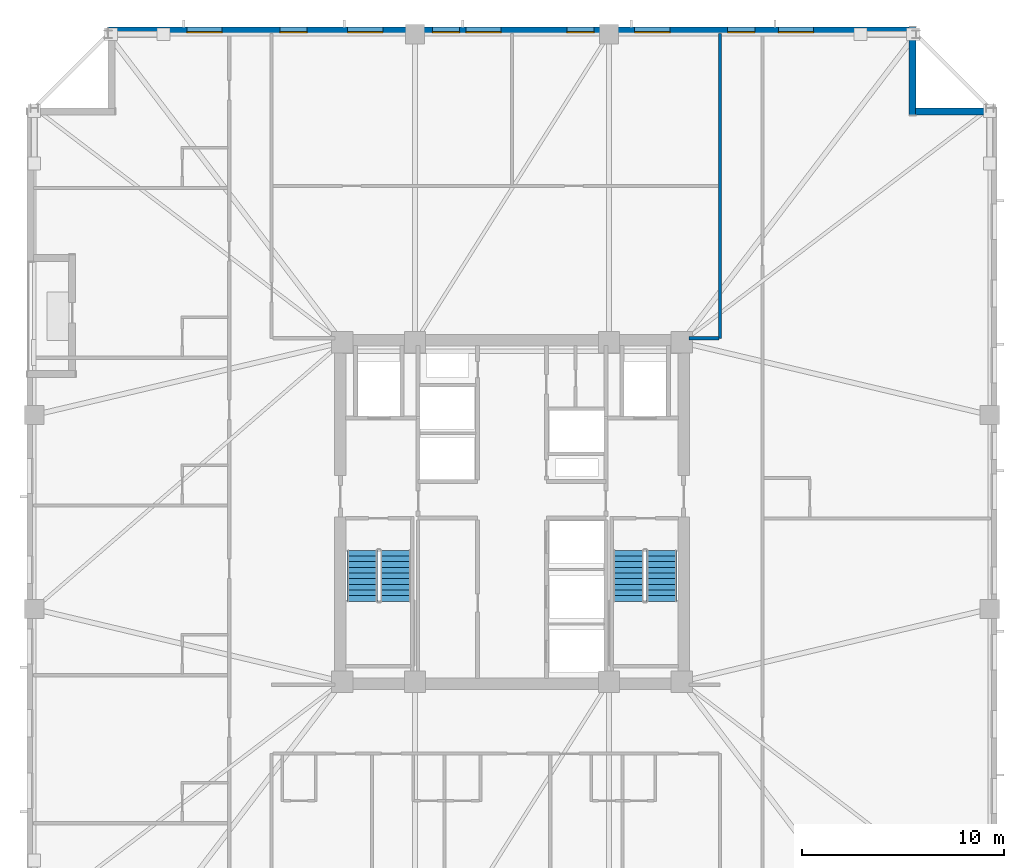
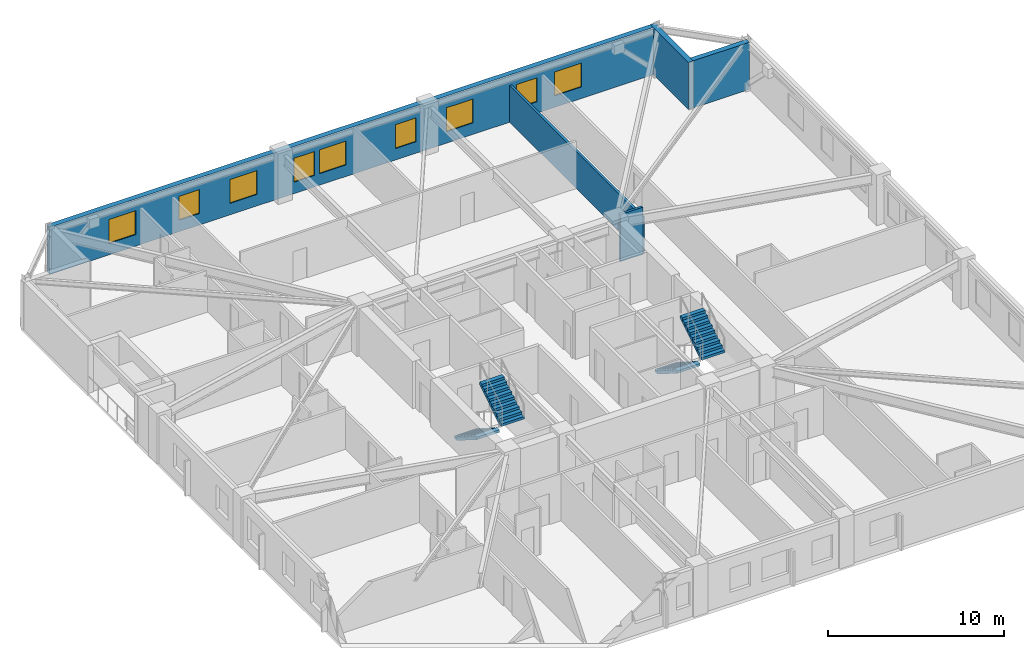
# One storey, part 6 of 11: 9 windows, 5 walls, 4 stair flights, 9 openings, 2 elements without a shape of their own.
"""IFC4 building model written with IfcOpenShell, lengths in metres."""

from ifc_helpers import new_model, si_unit, direction, frame, frame_2d, origin, place, context, subcontext, project, spatial, polyline, rectangle, outline, extrude, material, layer, layer_set, type_object, element, fill, aggregate, save


model = new_model("IFC4")

# Units and contexts
model_context = context("Model", 3, precision=1e-05, world=origin(), true_north=direction((0.0, 1.0)))
body_context = subcontext(model_context, "Body", "Model", "MODEL_VIEW")
ifc_project = project(units=[si_unit("LENGTHUNIT", "METRE"), si_unit("AREAUNIT", "SQUARE_METRE"), si_unit("VOLUMEUNIT", "CUBIC_METRE"), si_unit("PLANEANGLEUNIT", "RADIAN"), si_unit("MASSUNIT", "GRAM", prefix="KILO")], contexts=[model_context])

# Site, building, storey
site_placement = place(None, origin())
site = spatial("IfcSite", under=ifc_project, at=site_placement, CompositionType="ELEMENT")
building_placement = place(site_placement, origin())
building = spatial("IfcBuilding", under=site, at=building_placement, Name="Cairnveth Concourse Tower", CompositionType="ELEMENT")
storey_placement = place(building_placement, frame((0.0, 0.0, 116.5)))
storey = spatial("IfcBuildingStorey", under=building, at=storey_placement, Name="L31", CompositionType="ELEMENT", Elevation=116.5)

# Walls
ifc_material_1 = material(Name="Gypsum Plasterboard Partition", Category="gypsum")
ifc_layer_1 = layer(ifc_material_1, 0.159912109375)
ifc_layer_set_1 = layer_set([ifc_layer_1], Name="Gypsum Plasterboard Partition")
wall_type_1 = type_object("IfcWallType", Name="ACOUSTIC PARTY WALL 180", PredefinedType="PARTITIONING", material=ifc_layer_set_1)
wall_1_placement = place(storey_placement, frame((62.300048828125, 47.60009765625, 0.0), z_axis=(0.0, 0.0, 1.0), x_axis=(0.0, 1.0, 0.0)))
element("IfcWall", 1, at=wall_1_placement, inside=storey, type_object=wall_type_1, Name="Interior Wall IW-L31-043", PredefinedType="PARTITIONING", context=body_context, shape_type="SweptSolid", body=[
    extrude(rectangle(XDim=15.074951171875, YDim=0.159912109375, at=frame_2d((7.53759765625, 0.0))), origin(), (0.0, 0.0, 1.0), 2.554931640625),
])
wall_2_placement = place(storey_placement, frame((60.764892578125, 47.60009765625, 0.0), z_axis=(0.0, 0.0, 1.0), x_axis=(1.0, 0.0, 0.0)))
element("IfcWall", 2, at=wall_2_placement, inside=storey, type_object=wall_type_1, Name="Interior Wall IW-L31-045", PredefinedType="PARTITIONING", context=body_context, shape_type="SweptSolid", body=[
    extrude(rectangle(XDim=1.47021484375, YDim=0.159912109375, at=frame_2d((0.735107421875, 0.0))), origin(), (0.0, 0.0, 1.0), 3.280029296875),
])

# Wall, openings, windows
ifc_material_2 = material(Name="Hawthorn Red-Ochre Fired Clay Brick Masonry", Category="masonry")
ifc_layer_2 = layer(ifc_material_2, 0.340087890625)
ifc_layer_set_2 = layer_set([ifc_layer_2], Name="Hawthorn Red-Ochre Fired Clay Brick Masonry")
wall_type_2 = type_object("IfcWallType", Name="ZONE 2 BRICK PIER SPANDREL WALL 340", PredefinedType="SOLIDWALL", material=ifc_layer_set_2)
wall_3_placement = place(storey_placement, frame((32.0, 62.830078125, 0.0), z_axis=(0.0, 0.0, 1.0), x_axis=(1.0, 0.0, 0.0)))
wall_3 = element("IfcWall", 3, at=wall_3_placement, inside=storey, type_object=wall_type_2, Name="Exterior Wall EW-L31-S03", PredefinedType="SOLIDWALL", context=body_context, shape_type="SweptSolid", body=[
    extrude(rectangle(XDim=39.681884765625, YDim=0.340087890625, at=frame_2d((19.8408203125, 0.0))), origin(), (0.0, 0.0, 1.0), 3.280029296875),
])
opening_1_placement = place(wall_3_placement, frame((3.90185546875, 0.0, 0.800048828125)))
opening_1 = element("IfcOpeningElement", 4, at=opening_1_placement, cuts=wall_3, Name="Opening W06", PredefinedType="OPENING", context=body_context, shape_type="SweptSolid", body=[
    extrude(rectangle(XDim=1.75, YDim=1.659912109375, at=frame_2d((0.875, 0.830078125))), frame((0.0, 0.179931640625, 0.0), z_axis=(0.0, -1.0, 0.0), x_axis=(1.0, 0.0, 0.0)), (0.0, 0.0, 1.0), 0.360107421875),
])
opening_2_placement = place(wall_3_placement, frame((8.50537109375, 0.0, 0.800048828125)))
opening_2 = element("IfcOpeningElement", 5, at=opening_2_placement, cuts=wall_3, Name="Opening W02", PredefinedType="OPENING", context=body_context, shape_type="SweptSolid", body=[
    extrude(rectangle(XDim=1.35009765625, YDim=1.659912109375, at=frame_2d((0.675048828125, 0.830078125))), frame((0.0, 0.179931640625, 0.0), z_axis=(0.0, -1.0, 0.0), x_axis=(1.0, 0.0, 0.0)), (0.0, 0.0, 1.0), 0.360107421875),
])
opening_3_placement = place(wall_3_placement, frame((11.85888671875, 0.0, 0.800048828125)))
opening_3 = element("IfcOpeningElement", 6, at=opening_3_placement, cuts=wall_3, Name="Opening W06", PredefinedType="OPENING", context=body_context, shape_type="SweptSolid", body=[
    extrude(rectangle(XDim=1.75, YDim=1.659912109375, at=frame_2d((0.875, 0.830078125))), frame((0.0, 0.179931640625, 0.0), z_axis=(0.0, -1.0, 0.0), x_axis=(1.0, 0.0, 0.0)), (0.0, 0.0, 1.0), 0.360107421875),
])
opening_4_placement = place(wall_3_placement, frame((16.0625, 0.0, 0.800048828125)))
opening_4 = element("IfcOpeningElement", 7, at=opening_4_placement, cuts=wall_3, Name="Opening W02", PredefinedType="OPENING", context=body_context, shape_type="SweptSolid", body=[
    extrude(rectangle(XDim=1.35009765625, YDim=1.659912109375, at=frame_2d((0.675048828125, 0.830078125))), frame((0.0, 0.179931640625, 0.0), z_axis=(0.0, -1.0, 0.0), x_axis=(1.0, 0.0, 0.0)), (0.0, 0.0, 1.0), 0.360107421875),
])
opening_5_placement = place(wall_3_placement, frame((17.716064453125, 0.0, 0.800048828125)))
opening_5 = element("IfcOpeningElement", 8, at=opening_5_placement, cuts=wall_3, Name="Opening W06", PredefinedType="OPENING", context=body_context, shape_type="SweptSolid", body=[
    extrude(rectangle(XDim=1.75, YDim=1.659912109375, at=frame_2d((0.875, 0.830078125))), frame((0.0, 0.179931640625, 0.0), z_axis=(0.0, -1.0, 0.0), x_axis=(1.0, 0.0, 0.0)), (0.0, 0.0, 1.0), 0.360107421875),
])
opening_6_placement = place(wall_3_placement, frame((22.719482421875, 0.0, 0.800048828125)))
opening_6 = element("IfcOpeningElement", 9, at=opening_6_placement, cuts=wall_3, Name="Opening W02", PredefinedType="OPENING", context=body_context, shape_type="SweptSolid", body=[
    extrude(rectangle(XDim=1.35009765625, YDim=1.659912109375, at=frame_2d((0.675048828125, 0.830078125))), frame((0.0, 0.179931640625, 0.0), z_axis=(0.0, -1.0, 0.0), x_axis=(1.0, 0.0, 0.0)), (0.0, 0.0, 1.0), 0.360107421875),
])
opening_7_placement = place(wall_3_placement, frame((26.072998046875, 0.0, 0.800048828125)))
opening_7 = element("IfcOpeningElement", 10, at=opening_7_placement, cuts=wall_3, Name="Opening W06", PredefinedType="OPENING", context=body_context, shape_type="SweptSolid", body=[
    extrude(rectangle(XDim=1.75, YDim=1.659912109375, at=frame_2d((0.875, 0.830078125))), frame((0.0, 0.179931640625, 0.0), z_axis=(0.0, -1.0, 0.0), x_axis=(1.0, 0.0, 0.0)), (0.0, 0.0, 1.0), 0.360107421875),
])
opening_8_placement = place(wall_3_placement, frame((30.6767578125, 0.0, 0.800048828125)))
opening_8 = element("IfcOpeningElement", 11, at=opening_8_placement, cuts=wall_3, Name="Opening W02", PredefinedType="OPENING", context=body_context, shape_type="SweptSolid", body=[
    extrude(rectangle(XDim=1.35009765625, YDim=1.659912109375, at=frame_2d((0.675048828125, 0.830078125))), frame((0.0, 0.179931640625, 0.0), z_axis=(0.0, -1.0, 0.0), x_axis=(1.0, 0.0, 0.0)), (0.0, 0.0, 1.0), 0.360107421875),
])
opening_9_placement = place(wall_3_placement, frame((33.18017578125, 0.0, 0.800048828125)))
opening_9 = element("IfcOpeningElement", 12, at=opening_9_placement, cuts=wall_3, Name="Opening W06", PredefinedType="OPENING", context=body_context, shape_type="SweptSolid", body=[
    extrude(rectangle(XDim=1.75, YDim=1.659912109375, at=frame_2d((0.875, 0.830078125))), frame((0.0, 0.179931640625, 0.0), z_axis=(0.0, -1.0, 0.0), x_axis=(1.0, 0.0, 0.0)), (0.0, 0.0, 1.0), 0.360107421875),
])
ifc_material_3 = material(Name="Double Glazed Low-E Clear Glass", Category="glass")
window_type_1 = type_object("IfcWindowType", Name="DEEP-SET GOTHIC LANCET WINDOW 1350X1800", PartitioningType="DOUBLE_PANEL_VERTICAL", PredefinedType="WINDOW", material=ifc_material_3)
window_1_placement = place(opening_2_placement, origin())
window_1 = element("IfcWindow", 13, at=window_1_placement, inside=storey, type_object=window_type_1, Name="Gothic Lancet Window L31-3-2", OverallHeight=1.659912109375, OverallWidth=1.35009765625, PartitioningType="SINGLE_PANEL", PredefinedType="WINDOW", context=body_context, shape_type="SweptSolid", body=[
    extrude(rectangle(XDim=1.35009765625, YDim=1.659912109375, at=frame_2d((0.675048828125, 0.830078125))), frame((0.0, -0.050048828125, 0.0), z_axis=(0.0, -1.0, 0.0), x_axis=(1.0, 0.0, 0.0)), (0.0, 0.0, 1.0), 0.06005859375),
])
fill(opening_2, window_1)
window_2_placement = place(opening_4_placement, origin())
window_2 = element("IfcWindow", 14, at=window_2_placement, inside=storey, type_object=window_type_1, Name="Gothic Lancet Window L31-3-4", OverallHeight=1.659912109375, OverallWidth=1.35009765625, PartitioningType="SINGLE_PANEL", PredefinedType="WINDOW", context=body_context, shape_type="SweptSolid", body=[
    extrude(rectangle(XDim=1.35009765625, YDim=1.659912109375, at=frame_2d((0.675048828125, 0.830078125))), frame((0.0, -0.050048828125, 0.0), z_axis=(0.0, -1.0, 0.0), x_axis=(1.0, 0.0, 0.0)), (0.0, 0.0, 1.0), 0.06005859375),
])
fill(opening_4, window_2)
window_3_placement = place(opening_6_placement, origin())
window_3 = element("IfcWindow", 15, at=window_3_placement, inside=storey, type_object=window_type_1, Name="Gothic Lancet Window L31-3-6", OverallHeight=1.659912109375, OverallWidth=1.35009765625, PartitioningType="SINGLE_PANEL", PredefinedType="WINDOW", context=body_context, shape_type="SweptSolid", body=[
    extrude(rectangle(XDim=1.35009765625, YDim=1.659912109375, at=frame_2d((0.675048828125, 0.830078125))), frame((0.0, -0.050048828125, 0.0), z_axis=(0.0, -1.0, 0.0), x_axis=(1.0, 0.0, 0.0)), (0.0, 0.0, 1.0), 0.06005859375),
])
fill(opening_6, window_3)
window_4_placement = place(opening_8_placement, origin())
window_4 = element("IfcWindow", 16, at=window_4_placement, inside=storey, type_object=window_type_1, Name="Gothic Lancet Window L31-3-8", OverallHeight=1.659912109375, OverallWidth=1.35009765625, PartitioningType="SINGLE_PANEL", PredefinedType="WINDOW", context=body_context, shape_type="SweptSolid", body=[
    extrude(rectangle(XDim=1.35009765625, YDim=1.659912109375, at=frame_2d((0.675048828125, 0.830078125))), frame((0.0, -0.050048828125, 0.0), z_axis=(0.0, -1.0, 0.0), x_axis=(1.0, 0.0, 0.0)), (0.0, 0.0, 1.0), 0.06005859375),
])
fill(opening_8, window_4)
window_type_2 = type_object("IfcWindowType", Name="DEEP-SET HOTEL SUITE WINDOW 1750X1800", PartitioningType="DOUBLE_PANEL_VERTICAL", PredefinedType="WINDOW", material=ifc_material_3)
window_5_placement = place(opening_1_placement, origin())
window_5 = element("IfcWindow", 17, at=window_5_placement, inside=storey, type_object=window_type_2, Name="Gothic Lancet Window L31-3-1", OverallHeight=1.659912109375, OverallWidth=1.75, PartitioningType="SINGLE_PANEL", PredefinedType="WINDOW", context=body_context, shape_type="SweptSolid", body=[
    extrude(rectangle(XDim=1.75, YDim=1.659912109375, at=frame_2d((0.875, 0.830078125))), frame((0.0, -0.050048828125, 0.0), z_axis=(0.0, -1.0, 0.0), x_axis=(1.0, 0.0, 0.0)), (0.0, 0.0, 1.0), 0.06005859375),
])
fill(opening_1, window_5)
window_6_placement = place(opening_3_placement, origin())
window_6 = element("IfcWindow", 18, at=window_6_placement, inside=storey, type_object=window_type_2, Name="Gothic Lancet Window L31-3-3", OverallHeight=1.659912109375, OverallWidth=1.75, PartitioningType="SINGLE_PANEL", PredefinedType="WINDOW", context=body_context, shape_type="SweptSolid", body=[
    extrude(rectangle(XDim=1.75, YDim=1.659912109375, at=frame_2d((0.875, 0.830078125))), frame((0.0, -0.050048828125, 0.0), z_axis=(0.0, -1.0, 0.0), x_axis=(1.0, 0.0, 0.0)), (0.0, 0.0, 1.0), 0.06005859375),
])
fill(opening_3, window_6)
window_7_placement = place(opening_5_placement, origin())
window_7 = element("IfcWindow", 19, at=window_7_placement, inside=storey, type_object=window_type_2, Name="Gothic Lancet Window L31-3-5", OverallHeight=1.659912109375, OverallWidth=1.75, PartitioningType="SINGLE_PANEL", PredefinedType="WINDOW", context=body_context, shape_type="SweptSolid", body=[
    extrude(rectangle(XDim=1.75, YDim=1.659912109375, at=frame_2d((0.875, 0.830078125))), frame((0.0, -0.050048828125, 0.0), z_axis=(0.0, -1.0, 0.0), x_axis=(1.0, 0.0, 0.0)), (0.0, 0.0, 1.0), 0.06005859375),
])
fill(opening_5, window_7)
window_8_placement = place(opening_7_placement, origin())
window_8 = element("IfcWindow", 20, at=window_8_placement, inside=storey, type_object=window_type_2, Name="Gothic Lancet Window L31-3-7", OverallHeight=1.659912109375, OverallWidth=1.75, PartitioningType="SINGLE_PANEL", PredefinedType="WINDOW", context=body_context, shape_type="SweptSolid", body=[
    extrude(rectangle(XDim=1.75, YDim=1.659912109375, at=frame_2d((0.875, 0.830078125))), frame((0.0, -0.050048828125, 0.0), z_axis=(0.0, -1.0, 0.0), x_axis=(1.0, 0.0, 0.0)), (0.0, 0.0, 1.0), 0.06005859375),
])
fill(opening_7, window_8)
window_9_placement = place(opening_9_placement, origin())
window_9 = element("IfcWindow", 21, at=window_9_placement, inside=storey, type_object=window_type_2, Name="Gothic Lancet Window L31-3-9", OverallHeight=1.659912109375, OverallWidth=1.75, PartitioningType="SINGLE_PANEL", PredefinedType="WINDOW", context=body_context, shape_type="SweptSolid", body=[
    extrude(rectangle(XDim=1.75, YDim=1.659912109375, at=frame_2d((0.875, 0.830078125))), frame((0.0, -0.050048828125, 0.0), z_axis=(0.0, -1.0, 0.0), x_axis=(1.0, 0.0, 0.0)), (0.0, 0.0, 1.0), 0.06005859375),
])
fill(opening_9, window_9)

# Walls
wall_4_placement = place(storey_placement, frame((71.830078125, 63.0, 0.0), z_axis=(0.0, 0.0, 1.0), x_axis=(0.0, -1.0, 0.0)))
element("IfcWall", 22, at=wall_4_placement, inside=storey, type_object=wall_type_2, Name="Exterior Wall EW-L31-S04", PredefinedType="SOLIDWALL", context=body_context, shape_type="SweptSolid", body=[
    extrude(rectangle(XDim=4.340087890625, YDim=0.340087890625, at=frame_2d((2.169921875, 0.0))), origin(), (0.0, 0.0, 1.0), 3.280029296875),
])
wall_5_placement = place(storey_placement, frame((71.97802734375, 58.830078125, 0.0), z_axis=(0.0, 0.0, 1.0), x_axis=(1.0, 0.0, 0.0)))
element("IfcWall", 23, at=wall_5_placement, inside=storey, type_object=wall_type_2, Name="Exterior Wall EW-L31-S05", PredefinedType="SOLIDWALL", context=body_context, shape_type="SweptSolid", body=[
    extrude(rectangle(XDim=3.703857421875, YDim=0.340087890625, at=frame_2d((1.85205078125, 0.0))), origin(), (0.0, 0.0, 1.0), 3.280029296875),
])

# Stair, stair flights
ifc_material_4 = material(Name="Precast concrete N50 (50 MPa)", Category="concrete")
stair_type = type_object("IfcStairType", Name="CORE DOG-LEG FIRE STAIR 1500", PredefinedType="HALF_TURN_STAIR", material=ifc_material_4)
stair_1_placement = place(storey_placement, origin())
stair_1 = element("IfcStair", 24, at=stair_1_placement, inside=storey, type_object=stair_type, Name="L31 Fire-Isolated Stair ST-1", PredefinedType="HALF_TURN_STAIR")
stair_flight_type = type_object("IfcStairFlightType", Name="PRECAST CONCRETE STAIR FLIGHT 1500", PredefinedType="STRAIGHT", material=ifc_material_4)
stair_flight_1_placement = place(storey_placement, frame((44.590087890625, 37.10009765625, 0.0), z_axis=(0.0, 0.0, 1.0), x_axis=(0.0, -1.0, 0.0)))
stair_flight_1 = element("IfcStairFlight", 25, at=stair_flight_1_placement, type_object=stair_flight_type, Name="ST-1 flight 1", NumberOfRisers=10, NumberOfTreads=9, PredefinedType="STRAIGHT", RiserHeight=0.175, TreadLength=0.28, context=body_context, shape_type="SweptSolid", body=[
    extrude(outline(polyline([(0.0, 0.0), (0.0, 0.175048828125), (0.280029296875, 0.175048828125), (0.280029296875, 0.35009765625), (0.56005859375, 0.35009765625), (0.56005859375, 0.52490234375), (0.840087890625, 0.52490234375), (0.840087890625, 0.699951171875), (1.1201171875, 0.699951171875), (1.1201171875, 0.875), (1.39990234375, 0.875), (1.39990234375, 1.050048828125), (1.679931640625, 1.050048828125), (1.679931640625, 1.22509765625), (1.9599609375, 1.22509765625), (1.9599609375, 1.39990234375), (2.239990234375, 1.39990234375), (2.239990234375, 1.574951171875), (2.52001953125, 1.574951171875), (2.52001953125, 1.75), (2.52001953125, 1.398193359375), (0.28271484375, 0.0), (0.0, 0.0)])), frame((0.0, 0.75, 0.0), z_axis=(0.0, -1.0, 0.0), x_axis=(1.0, 0.0, 0.0)), (0.0, 0.0, 1.0), 1.5),
])
stair_flight_2_placement = place(storey_placement, frame((46.22998046875, 34.580078125, 1.75), z_axis=(0.0, 0.0, 1.0), x_axis=(0.0, 1.0, 0.0)))
stair_flight_2 = element("IfcStairFlight", 26, at=stair_flight_2_placement, type_object=stair_flight_type, Name="ST-1 flight 2", NumberOfRisers=10, NumberOfTreads=9, PredefinedType="STRAIGHT", RiserHeight=0.175, TreadLength=0.28, context=body_context, shape_type="SweptSolid", body=[
    extrude(outline(polyline([(0.0, 0.0), (0.0, 0.175048828125), (0.280029296875, 0.175048828125), (0.280029296875, 0.35009765625), (0.56005859375, 0.35009765625), (0.56005859375, 0.52490234375), (0.840087890625, 0.52490234375), (0.840087890625, 0.699951171875), (1.1201171875, 0.699951171875), (1.1201171875, 0.875), (1.39990234375, 0.875), (1.39990234375, 1.050048828125), (1.679931640625, 1.050048828125), (1.679931640625, 1.22509765625), (1.9599609375, 1.22509765625), (1.9599609375, 1.39990234375), (2.239990234375, 1.39990234375), (2.239990234375, 1.574951171875), (2.52001953125, 1.574951171875), (2.52001953125, 1.75), (2.52001953125, 1.398193359375), (0.28271484375, 0.0), (0.0, 0.0)])), frame((0.0, 0.75, 0.0), z_axis=(0.0, -1.0, 0.0), x_axis=(1.0, 0.0, 0.0)), (0.0, 0.0, 1.0), 1.5),
])
aggregate(stair_1, [stair_flight_1, stair_flight_2])

stair_2_placement = place(storey_placement, origin())
stair_2 = element("IfcStair", 27, at=stair_2_placement, inside=storey, type_object=stair_type, Name="L31 Fire-Isolated Stair ST-2", PredefinedType="HALF_TURN_STAIR")
stair_flight_3_placement = place(storey_placement, frame((57.77001953125, 37.10009765625, 0.0), z_axis=(0.0, 0.0, 1.0), x_axis=(0.0, -1.0, 0.0)))
stair_flight_3 = element("IfcStairFlight", 28, at=stair_flight_3_placement, type_object=stair_flight_type, Name="ST-2 flight 1", NumberOfRisers=10, NumberOfTreads=9, PredefinedType="STRAIGHT", RiserHeight=0.175, TreadLength=0.28, context=body_context, shape_type="SweptSolid", body=[
    extrude(outline(polyline([(0.0, 0.0), (0.0, 0.175048828125), (0.280029296875, 0.175048828125), (0.280029296875, 0.35009765625), (0.56005859375, 0.35009765625), (0.56005859375, 0.52490234375), (0.840087890625, 0.52490234375), (0.840087890625, 0.699951171875), (1.1201171875, 0.699951171875), (1.1201171875, 0.875), (1.39990234375, 0.875), (1.39990234375, 1.050048828125), (1.679931640625, 1.050048828125), (1.679931640625, 1.22509765625), (1.9599609375, 1.22509765625), (1.9599609375, 1.39990234375), (2.239990234375, 1.39990234375), (2.239990234375, 1.574951171875), (2.52001953125, 1.574951171875), (2.52001953125, 1.75), (2.52001953125, 1.398193359375), (0.28271484375, 0.0), (0.0, 0.0)])), frame((0.0, 0.75, 0.0), z_axis=(0.0, -1.0, 0.0), x_axis=(1.0, 0.0, 0.0)), (0.0, 0.0, 1.0), 1.5),
])
stair_flight_4_placement = place(storey_placement, frame((59.409912109375, 34.580078125, 1.75), z_axis=(0.0, 0.0, 1.0), x_axis=(0.0, 1.0, 0.0)))
stair_flight_4 = element("IfcStairFlight", 29, at=stair_flight_4_placement, type_object=stair_flight_type, Name="ST-2 flight 2", NumberOfRisers=10, NumberOfTreads=9, PredefinedType="STRAIGHT", RiserHeight=0.175, TreadLength=0.28, context=body_context, shape_type="SweptSolid", body=[
    extrude(outline(polyline([(0.0, 0.0), (0.0, 0.175048828125), (0.280029296875, 0.175048828125), (0.280029296875, 0.35009765625), (0.56005859375, 0.35009765625), (0.56005859375, 0.52490234375), (0.840087890625, 0.52490234375), (0.840087890625, 0.699951171875), (1.1201171875, 0.699951171875), (1.1201171875, 0.875), (1.39990234375, 0.875), (1.39990234375, 1.050048828125), (1.679931640625, 1.050048828125), (1.679931640625, 1.22509765625), (1.9599609375, 1.22509765625), (1.9599609375, 1.39990234375), (2.239990234375, 1.39990234375), (2.239990234375, 1.574951171875), (2.52001953125, 1.574951171875), (2.52001953125, 1.75), (2.52001953125, 1.398193359375), (0.28271484375, 0.0), (0.0, 0.0)])), frame((0.0, 0.75, 0.0), z_axis=(0.0, -1.0, 0.0), x_axis=(1.0, 0.0, 0.0)), (0.0, 0.0, 1.0), 1.5),
])
aggregate(stair_2, [stair_flight_3, stair_flight_4])

save(model, "model.ifc")
